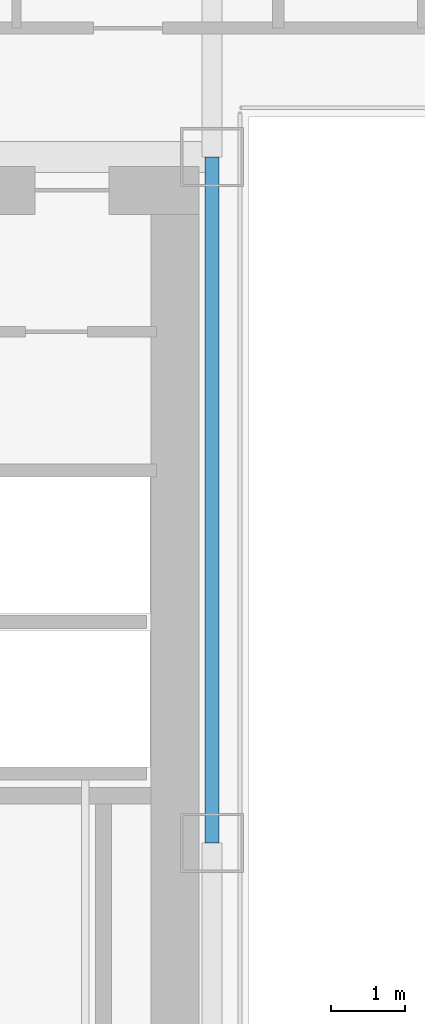
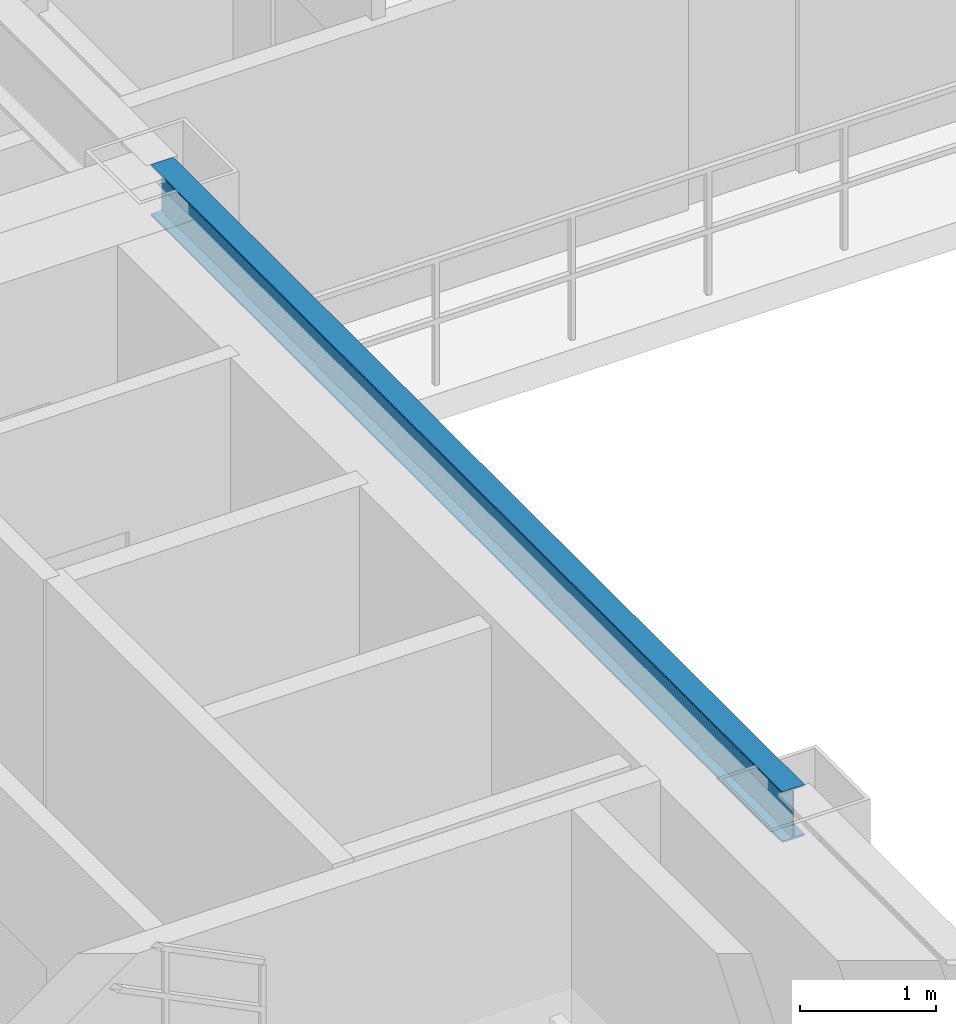
# One storey, part 9 of 35: 1 beam.
"""IFC4 building model written with IfcOpenShell, lengths in metres."""

import ifcopenshell
import ifcopenshell.guid

model = None  # the IFC model being written
_history = None  # IfcOwnerHistory: only IFC2X3 demands one
_inside = {}  # id of a spatial element -> (the spatial element, [elements in it])
_under = {}  # id of a project, library or spatial element -> (it, [spatial elements below it])
_declared = {}  # id of a project -> (the project, [libraries it declares])
_typed = {}  # id of a type object -> (the type object, [elements of that type])
_made_of = {}  # id of a material, layer set ... -> (it, [elements and type objects made of it])


def new_model(schema):
    """Start an empty IFC model of exactly this schema.

    Asked for "IFC4X3", IfcOpenShell would pick the latest addendum, in which some entities
    have other attributes; the version numbers below select the first issue.
    IFC2X3 requires an IfcOwnerHistory on every rooted entity: one is made here for all.
    """
    global model, _history
    if schema == "IFC4X3":
        model = ifcopenshell.file(schema_version=(4, 3, 0, 0))
    else:
        model = ifcopenshell.file(schema=schema)
    _inside.clear()
    _under.clear()
    _declared.clear()
    _typed.clear()
    _made_of.clear()
    _history = None
    if model.schema == "IFC2X3":
        org = make("IfcOrganization", Name="unknown")
        user = make(
            "IfcPersonAndOrganization",
            ThePerson=make("IfcPerson", FamilyName="unknown"),
            TheOrganization=org,
        )
        app = make(
            "IfcApplication",
            ApplicationDeveloper=org,
            Version="unknown",
            ApplicationFullName="unknown",
            ApplicationIdentifier="unknown",
        )
        _history = make(
            "IfcOwnerHistory",
            OwningUser=user,
            OwningApplication=app,
            ChangeAction="ADDED",
            CreationDate=0,
        )
    return model


def make(cls, **values):
    """One entity of the class cls with the attributes given. An attribute that is None is left unset."""
    return model.create_entity(
        cls, **{name: value for name, value in values.items() if value is not None}
    )


def rooted(cls, **values):
    """An entity with a GlobalId (a new one), such as an element, a storey or a relation."""
    return make(cls, GlobalId=ifcopenshell.guid.new(), OwnerHistory=_history, **values)


def si_unit(unit_type, name, prefix=None):
    """IfcSIUnit, for example si_unit("LENGTHUNIT", "METRE", prefix="MILLI")."""
    return make("IfcSIUnit", UnitType=unit_type, Prefix=prefix, Name=name)


def assignment(units):
    """IfcUnitAssignment: the units of a project."""
    return None if units is None else make("IfcUnitAssignment", Units=units)


def point(xyz):
    """IfcCartesianPoint."""
    return None if xyz is None else make("IfcCartesianPoint", Coordinates=xyz)


def direction(xyz):
    """IfcDirection."""
    return None if xyz is None else make("IfcDirection", DirectionRatios=xyz)


def frame(location, z_axis=None, x_axis=None):
    """IfcAxis2Placement3D, a coordinate frame: its origin and axes. An axis left out is left unset."""
    return make(
        "IfcAxis2Placement3D",
        Location=point(location),
        Axis=direction(z_axis),
        RefDirection=direction(x_axis),
    )


def frame_2d(location, x_axis=None):
    """IfcAxis2Placement2D, a coordinate frame in the plane: its origin and x axis."""
    return make(
        "IfcAxis2Placement2D", Location=point(location), RefDirection=direction(x_axis)
    )


def origin():
    """The frame at (0, 0, 0) with its axes left unset."""
    return frame((0.0, 0.0, 0.0))


def origin_2d():
    """The frame at (0, 0) in the plane with its x axis left unset."""
    return frame_2d((0.0, 0.0))


def place(relative_to, where):
    """IfcLocalPlacement: puts the frame where relative to a parent placement (None: the world)."""
    return make(
        "IfcLocalPlacement", PlacementRelTo=relative_to, RelativePlacement=where
    )


def context(
    kind, dimensions, precision=None, world=None, true_north=None, identifier=None
):
    """IfcGeometricRepresentationContext, for example the 3D "Model" context."""
    return make(
        "IfcGeometricRepresentationContext",
        ContextIdentifier=identifier,
        ContextType=kind,
        CoordinateSpaceDimension=dimensions,
        Precision=precision,
        WorldCoordinateSystem=world,
        TrueNorth=true_north,
    )


def subcontext(parent, identifier, kind, view, scale=None):
    """IfcGeometricRepresentationSubContext, for example "Body" below "Model"."""
    return make(
        "IfcGeometricRepresentationSubContext",
        ContextIdentifier=identifier,
        ContextType=kind,
        ParentContext=parent,
        TargetScale=scale,
        TargetView=view,
    )


def project(units=None, contexts=None):
    """IfcProject with its units and contexts."""
    return rooted(
        "IfcProject",
        Name="project",
        RepresentationContexts=contexts,
        UnitsInContext=assignment(units),
    )


def spatial(cls, under=None, at=None, **own):
    """A site, building, storey or space (cls), placed at a placement, below another one or the project."""
    s = rooted(cls, ObjectPlacement=at, **own)
    if under is not None:
        _under.setdefault(under.id(), (under, []))[1].append(s)
    return s


def profile(cls, at=None, kind="AREA", **sizes):
    """A parametric profile (cls). Its sizes go by their IFC names, for example OverallWidth=200.0."""
    return make(cls, ProfileType=kind, Position=at, **sizes)


def i_section(**sizes):
    """IfcIShapeProfileDef."""
    return profile("IfcIShapeProfileDef", **sizes)


def extrude(swept, where, along, depth):
    """IfcExtrudedAreaSolid: the profile swept, set in the frame where, extruded along a direction by depth."""
    return make(
        "IfcExtrudedAreaSolid",
        SweptArea=swept,
        Position=where,
        ExtrudedDirection=direction(along),
        Depth=depth,
    )


def shape(context_of_items, identifier, shape_type, items):
    """IfcShapeRepresentation: the items that make up one representation, for example the "Body"."""
    return make(
        "IfcShapeRepresentation",
        ContextOfItems=context_of_items,
        RepresentationIdentifier=identifier,
        RepresentationType=shape_type,
        Items=items,
    )


def source(mapping_origin, context_of_items, identifier, shape_type, items):
    """IfcRepresentationMap: a shape defined once, which mapped items show again and again."""
    return make(
        "IfcRepresentationMap",
        MappingOrigin=mapping_origin,
        MappedRepresentation=shape(context_of_items, identifier, shape_type, items),
    )


def transform(
    local_origin,
    x_axis=None,
    y_axis=None,
    z_axis=None,
    scale=None,
    scale2=None,
    scale3=None,
    uniform=True,
):
    """IfcCartesianTransformationOperator3D, or its non-uniform kind. x_axis, y_axis, z_axis: its Axis1, 2, 3."""
    if uniform:
        return make(
            "IfcCartesianTransformationOperator3D",
            Axis1=direction(x_axis),
            Axis2=direction(y_axis),
            LocalOrigin=point(local_origin),
            Scale=scale,
            Axis3=direction(z_axis),
        )
    return make(
        "IfcCartesianTransformationOperator3DnonUniform",
        Axis1=direction(x_axis),
        Axis2=direction(y_axis),
        LocalOrigin=point(local_origin),
        Scale=scale,
        Axis3=direction(z_axis),
        Scale2=scale2,
        Scale3=scale3,
    )


def mapped(mapping_source, mapping_target):
    """IfcMappedItem: shows the shape of a source again, moved by a transform."""
    return make(
        "IfcMappedItem", MappingSource=mapping_source, MappingTarget=mapping_target
    )


def material(Name=None, Category=None):
    """IfcMaterial."""
    return make("IfcMaterial", Name=Name, Category=Category)


def material_profile(
    of_material, cross_section, Name=None, Category=None, Priority=None
):
    """IfcMaterialProfile: a cross section and its material."""
    return make(
        "IfcMaterialProfile",
        Name=Name,
        Material=of_material,
        Profile=cross_section,
        Priority=Priority,
        Category=Category,
    )


def profile_set(profiles, Name=None, composite=None):
    """IfcMaterialProfileSet."""
    return make(
        "IfcMaterialProfileSet",
        Name=Name,
        MaterialProfiles=profiles,
        CompositeProfile=composite,
    )


def made_of(thing, what):
    """Note that an element or type object is made of a material, layer set ...; save() writes the relation."""
    if what is not None:
        _made_of.setdefault(what.id(), (what, []))[1].append(thing)
    return thing


def type_object(cls, material=None, **own):
    """A type object (cls), such as IfcWallType, which elements share."""
    return made_of(rooted(cls, **own), material)


def element(
    cls,
    number,
    at=None,
    inside=None,
    cuts=None,
    type_object=None,
    material=None,
    context=None,
    identifier="Body",
    shape_type=None,
    held_by="IfcProductDefinitionShape",
    body=None,
    shapes=None,
    **own,
):
    """One element of the class cls, such as IfcWall. Its Tag is "e" and its number.

    at: its placement. inside: the storey or other place that contains it. cuts: it is an
    opening in that element (IfcRelVoidsElement). A single representation is given by context,
    identifier, shape_type and body (its items); several are given by shapes. held_by: the class
    of the entity that holds the representations. save() writes the other relations.
    """
    e = rooted(cls, Tag="e%d" % number, ObjectPlacement=at, **own)
    if body is not None:
        shapes = [shape(context, identifier, shape_type, body)]
    if shapes is not None:
        e.Representation = make(held_by, Representations=shapes)
    if inside is not None:
        _inside.setdefault(inside.id(), (inside, []))[1].append(e)
    if cuts is not None:
        rooted(
            "IfcRelVoidsElement", RelatingBuildingElement=cuts, RelatedOpeningElement=e
        )
    if type_object is not None:
        _typed.setdefault(type_object.id(), (type_object, []))[1].append(e)
    return made_of(e, material)


def aggregate(whole, parts):
    """IfcRelAggregates: a whole, such as a stair, and the parts it consists of."""
    return rooted("IfcRelAggregates", RelatingObject=whole, RelatedObjects=parts)


def save(model, path):
    """Write the relations noted so far, then the file.

    IfcRelAggregates (storeys below a building ...), IfcRelContainedInSpatialStructure (elements
    in a storey), IfcRelDefinesByType, IfcRelAssociatesMaterial and IfcRelDeclares: one each for
    every whole, place, type object, material and project.
    """
    for whole, parts in _under.values():
        aggregate(whole, parts)
    for where, things in _inside.values():
        rooted(
            "IfcRelContainedInSpatialStructure",
            RelatedElements=things,
            RelatingStructure=where,
        )
    for kind, things in _typed.values():
        rooted("IfcRelDefinesByType", RelatedObjects=things, RelatingType=kind)
    for what, things in _made_of.values():
        rooted("IfcRelAssociatesMaterial", RelatedObjects=things, RelatingMaterial=what)
    for by, libraries in _declared.values():
        rooted("IfcRelDeclares", RelatingContext=by, RelatedDefinitions=libraries)
    model.write(path)


model = new_model("IFC4")

# Units and contexts
model_context = context("Model", 3, precision=1e-05, world=origin(), true_north=direction((0.0, 1.0)))
body_context = subcontext(model_context, "Body", "Model", "MODEL_VIEW")
ifc_project = project(units=[si_unit("LENGTHUNIT", "METRE"), si_unit("AREAUNIT", "SQUARE_METRE"), si_unit("VOLUMEUNIT", "CUBIC_METRE"), si_unit("PLANEANGLEUNIT", "RADIAN"), si_unit("MASSUNIT", "GRAM", prefix="KILO")], contexts=[model_context])

# Site, building, storey
site_placement = place(None, origin())
site = spatial("IfcSite", under=ifc_project, at=site_placement, CompositionType="ELEMENT")
building_placement = place(site_placement, origin())
building = spatial("IfcBuilding", under=site, at=building_placement, Name="Ocotamira Hotel", CompositionType="ELEMENT")
storey_placement = place(building_placement, frame((0.0, 0.0, 100.800048828125)))
storey = spatial("IfcBuildingStorey", under=building, at=storey_placement, Name="L24", CompositionType="ELEMENT", Elevation=100.800048828125)

# Beam
ifc_material = material(Name="Steel ASTM A992 Grade 50", Category="steel")
ifc_material_profile = material_profile(ifc_material, i_section(OverallWidth=0.18994140625, OverallDepth=0.45703125, WebThickness=0.009033203125, FlangeThickness=0.014404296875, FilletRadius=0.010009765625, at=origin_2d()), Name="W18X50")
ifc_profile_set = profile_set([ifc_material_profile], Name="Steel ASTM A992 Grade 50")
beam_type = type_object("IfcBeamType", Name="BM-SEC-W18X50", PredefinedType="JOIST", material=ifc_profile_set)
shared_shape = source(origin(), body_context, "Body", "SweptSolid", [
    extrude(i_section(OverallWidth=0.18994140625, OverallDepth=0.45703125, WebThickness=0.009033203125, FlangeThickness=0.014404296875, FilletRadius=0.010009765625, at=origin_2d()), origin(), (0.0, 0.0, 1.0), 9.300048828125),
])
beam_placement = place(storey_placement, frame((23.5, 28.14990234375, 3.13134765625), z_axis=(0.0, 1.0, 0.0), x_axis=(-1.0, 0.0, 0.0)))
element("IfcBeam", 1, at=beam_placement, inside=storey, type_object=beam_type, Name="L24 Beam X23.5 Y28.15-37.45", PredefinedType="JOIST", context=body_context, shape_type="MappedRepresentation", body=[
    mapped(shared_shape, transform((0.0, 0.0, 0.0), scale=1.0)),
])

save(model, "model.ifc")
